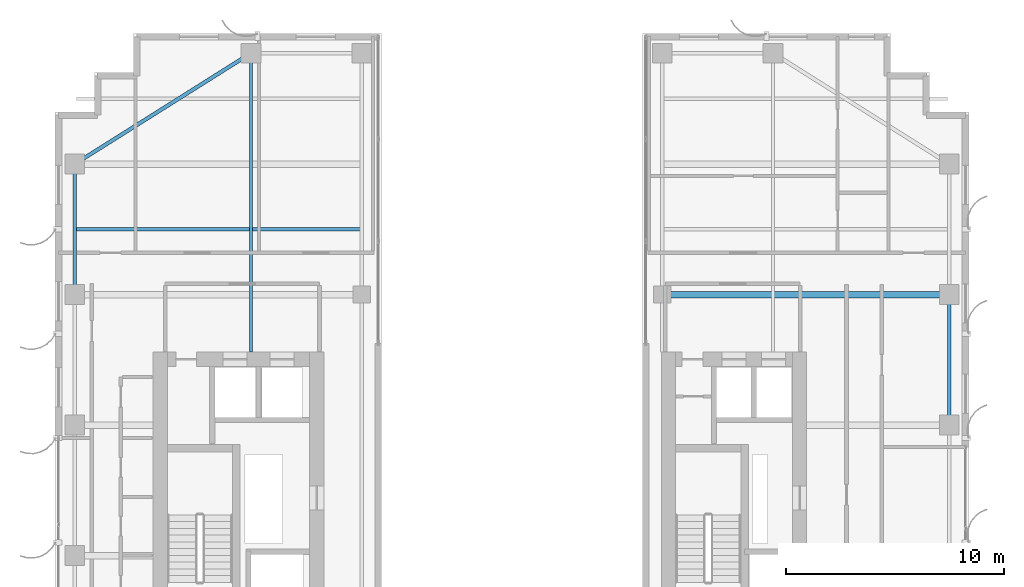
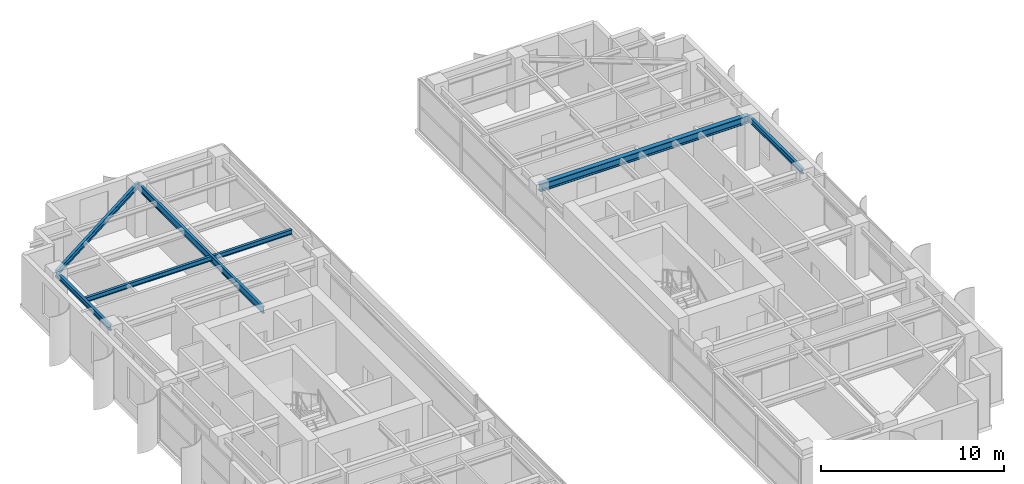
# One storey, part 12 of 22: 6 beams.
"""IFC4 building model written with IfcOpenShell, lengths in metres."""

from ifc_helpers import new_model, si_unit, direction, frame, origin, origin_2d, place, context, subcontext, project, spatial, i_section, extrude, source, transform, mapped, material, material_profile, profile_set, type_object, element, save


model = new_model("IFC4")

# Units and contexts
model_context = context("Model", 3, precision=1e-05, world=origin(), true_north=direction((0.0, 1.0)))
body_context = subcontext(model_context, "Body", "Model", "MODEL_VIEW")
ifc_project = project(units=[si_unit("LENGTHUNIT", "METRE"), si_unit("AREAUNIT", "SQUARE_METRE"), si_unit("VOLUMEUNIT", "CUBIC_METRE"), si_unit("PLANEANGLEUNIT", "RADIAN"), si_unit("MASSUNIT", "GRAM", prefix="KILO")], contexts=[model_context])

# Site, building, storey
site_placement = place(None, origin())
site = spatial("IfcSite", under=ifc_project, at=site_placement, CompositionType="ELEMENT")
building_placement = place(site_placement, origin())
building = spatial("IfcBuilding", under=site, at=building_placement, Name="Khoralis Quay Care Tower", CompositionType="ELEMENT")
storey_placement = place(building_placement, frame((0.0, 0.0, 209.699951171875)))
storey = spatial("IfcBuildingStorey", under=building, at=storey_placement, Name="L55", CompositionType="ELEMENT", Elevation=209.699951171875)

# Beams
ifc_material = material(Name="Steel S355", Category="steel")
ifc_material_profile_1 = material_profile(ifc_material, i_section(OverallWidth=0.169921875, OverallDepth=0.360107421875, WebThickness=0.008056640625, FlangeThickness=0.0126953125, FilletRadius=0.01806640625, at=origin_2d()), Name="Steel S355")
ifc_profile_set_1 = profile_set([ifc_material_profile_1], Name="Steel S355")
beam_type_1 = type_object("IfcBeamType", Name="BM-IPE360", PredefinedType="SPANDREL", material=ifc_profile_set_1)
shared_shape_1 = source(origin(), body_context, "Body", "SweptSolid", [
    extrude(i_section(OverallWidth=0.169921875, OverallDepth=0.360107421875, WebThickness=0.008056640625, FlangeThickness=0.0126953125, FilletRadius=0.01806640625, at=origin_2d()), origin(), (0.0, 0.0, 1.0), 6.0),
])
for number, where, z_axis, x_axis, name in (
    (1, (3.89990234375, 30.0, 3.16015625), (0.0, 1.0, 0.0), (-1.0, 0.0, 0.0), "BM-TSP-L55-09"),
    (2, (44.10009765625, 24.0, 3.16015625), (0.0, 1.0, 0.0), (-1.0, 0.0, 0.0), "BM-TSP-L55-13"),
):
    element("IfcBeam", number, at=place(storey_placement, frame(where, z_axis=z_axis, x_axis=x_axis)), inside=storey, type_object=beam_type_1, Name=name, PredefinedType="SPANDREL", context=body_context, shape_type="MappedRepresentation", body=[
        mapped(shared_shape_1, transform((0.0, 0.0, 0.0), scale=1.0)),
    ])
shared_shape_2 = source(origin(), body_context, "Body", "SweptSolid", [
    extrude(i_section(OverallWidth=0.169921875, OverallDepth=0.360107421875, WebThickness=0.008056640625, FlangeThickness=0.0126953125, FilletRadius=0.01806640625, at=origin_2d()), origin(), (0.0, 0.0, 1.0), 9.572021484375),
])
beam_1_placement = place(storey_placement, frame((12.0, 41.10009765625, 3.16015625), z_axis=(-0.846231136359, -0.532815975602, 0.0), x_axis=(0.532815975602, -0.846231136359, 0.0)))
element("IfcBeam", 3, at=beam_1_placement, inside=storey, type_object=beam_type_1, Name="BM-TCR-L55-17", PredefinedType="SPANDREL", context=body_context, shape_type="MappedRepresentation", body=[
    mapped(shared_shape_2, transform((0.0, 0.0, 0.0), scale=1.0)),
])
ifc_material_profile_2 = material_profile(ifc_material, i_section(OverallWidth=0.300048828125, OverallDepth=0.5, WebThickness=0.014404296875, FlangeThickness=0.028076171875, FilletRadius=0.027099609375, at=origin_2d()), Name="Steel S355")
ifc_profile_set_2 = profile_set([ifc_material_profile_2], Name="Steel S355")
beam_type_2 = type_object("IfcBeamType", Name="BM-HEB500", PredefinedType="BEAM", material=ifc_profile_set_2)
shared_shape_3 = source(origin(), body_context, "Body", "SweptSolid", [
    extrude(i_section(OverallWidth=0.300048828125, OverallDepth=0.5, WebThickness=0.014404296875, FlangeThickness=0.028076171875, FilletRadius=0.027099609375, at=origin_2d()), origin(), (0.0, 0.0, 1.0), 13.2001953125),
])
beam_2_placement = place(storey_placement, frame((30.89990234375, 30.0, 3.090087890625), z_axis=(1.0, 0.0, 0.0), x_axis=(0.0, 1.0, 0.0)))
element("IfcBeam", 4, at=beam_2_placement, inside=storey, type_object=beam_type_2, Name="BM-TGXE-L55-300", PredefinedType="BEAM", context=body_context, shape_type="MappedRepresentation", body=[
    mapped(shared_shape_3, transform((0.0, 0.0, 0.0), scale=1.0)),
])
ifc_material_profile_3 = material_profile(ifc_material, i_section(OverallWidth=0.154052734375, OverallDepth=0.458984375, WebThickness=0.009033203125, FlangeThickness=0.015380859375, FilletRadius=0.014892578125, at=origin_2d()), Name="Steel S355")
ifc_profile_set_3 = profile_set([ifc_material_profile_3], Name="Steel S355")
beam_type_3 = type_object("IfcBeamType", Name="BM-W460X68", PredefinedType="BEAM", material=ifc_profile_set_3)
shared_shape_4 = source(origin(), body_context, "Body", "SweptSolid", [
    extrude(i_section(OverallWidth=0.154052734375, OverallDepth=0.458984375, WebThickness=0.009033203125, FlangeThickness=0.015380859375, FilletRadius=0.014892578125, at=origin_2d()), origin(), (0.0, 0.0, 1.0), 13.752197265625),
])
beam_3_placement = place(storey_placement, frame((12.0, 27.347900390625, 3.110595703125), z_axis=(0.0, 1.0, 0.0), x_axis=(-1.0, 0.0, 0.0)))
element("IfcBeam", 5, at=beam_3_placement, inside=storey, type_object=beam_type_3, Name="BM-TGYN-L55-120", PredefinedType="BEAM", context=body_context, shape_type="MappedRepresentation", body=[
    mapped(shared_shape_4, transform((0.0, 0.0, 0.0), scale=1.0)),
])
ifc_material_profile_4 = material_profile(ifc_material, i_section(OverallWidth=0.1650390625, OverallDepth=0.31005859375, WebThickness=0.005859375, FlangeThickness=0.009765625, FilletRadius=0.011962890625, at=origin_2d()), Name="Steel S355")
ifc_profile_set_4 = profile_set([ifc_material_profile_4], Name="Steel S355")
beam_type_4 = type_object("IfcBeamType", Name="BM-W310X39", PredefinedType="JOIST", material=ifc_profile_set_4)
shared_shape_5 = source(origin(), body_context, "Body", "SweptSolid", [
    extrude(i_section(OverallWidth=0.1650390625, OverallDepth=0.31005859375, WebThickness=0.005859375, FlangeThickness=0.009765625, FilletRadius=0.011962890625, at=origin_2d()), origin(), (0.0, 0.0, 1.0), 13.06396484375),
])
beam_4_placement = place(storey_placement, frame((3.970947265625, 33.0, 3.18505859375), z_axis=(1.0, 0.0, 0.0), x_axis=(0.0, 1.0, 0.0)))
element("IfcBeam", 6, at=beam_4_placement, inside=storey, type_object=beam_type_4, Name="BM-TJS-L55-21", PredefinedType="JOIST", context=body_context, shape_type="MappedRepresentation", body=[
    mapped(shared_shape_5, transform((0.0, 0.0, 0.0), scale=1.0)),
])

save(model, "model.ifc")
